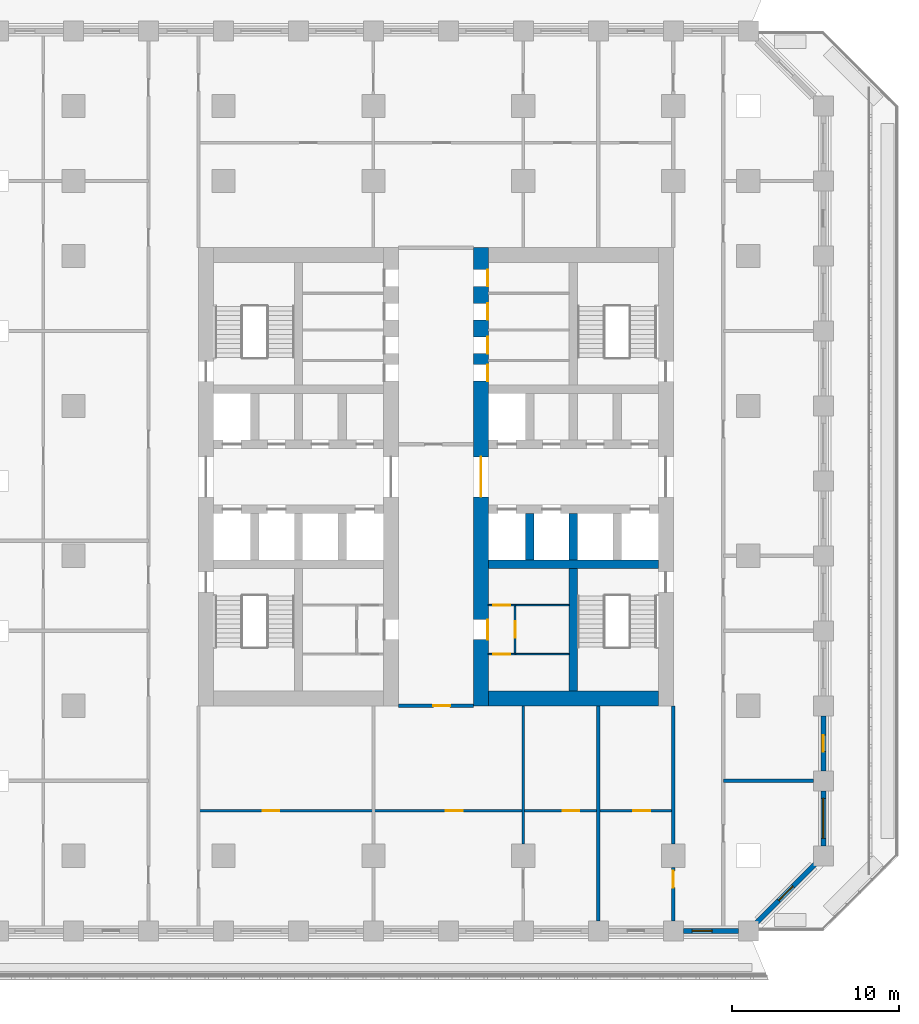
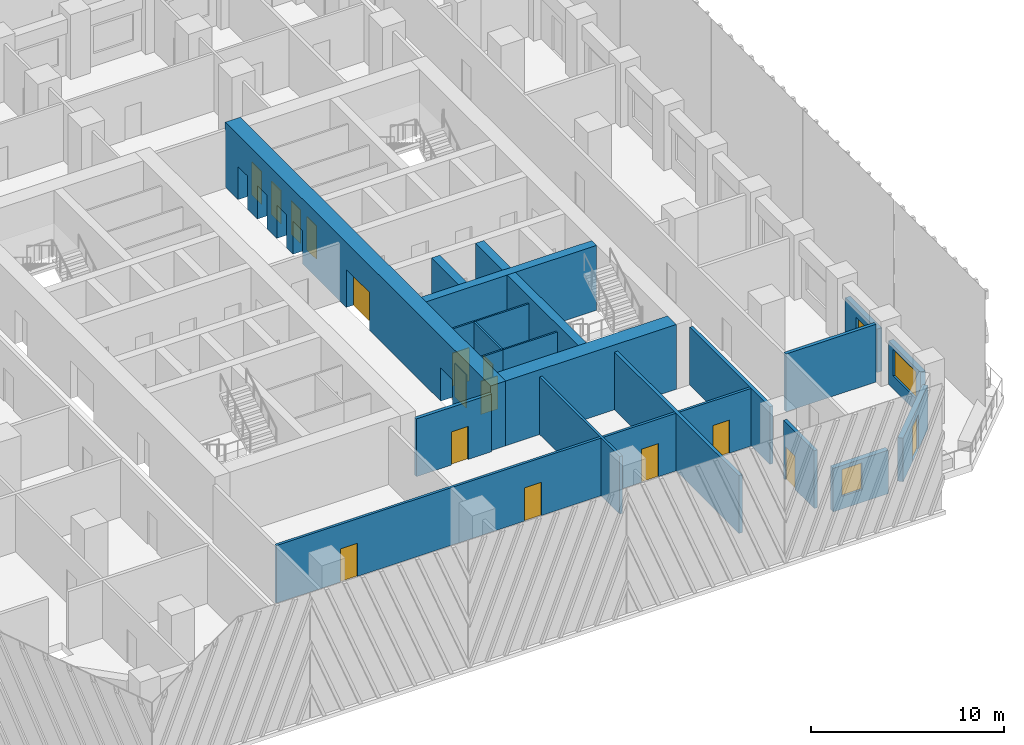
# One storey, part 5 of 19: 22 walls, 17 doors, 2 windows, 19 openings.
"""IFC4 building model written with IfcOpenShell, lengths in metres."""

from ifc_helpers import new_model, si_unit, direction, frame, frame_2d, origin, place, context, subcontext, project, spatial, rectangle, extrude, material, layer, layer_set, type_object, element, fill, save


model = new_model("IFC4")

# Units and contexts
model_context = context("Model", 3, precision=1e-05, world=origin(), true_north=direction((0.0, 1.0)))
body_context = subcontext(model_context, "Body", "Model", "MODEL_VIEW")
ifc_project = project(units=[si_unit("LENGTHUNIT", "METRE"), si_unit("AREAUNIT", "SQUARE_METRE"), si_unit("VOLUMEUNIT", "CUBIC_METRE"), si_unit("PLANEANGLEUNIT", "RADIAN"), si_unit("MASSUNIT", "GRAM", prefix="KILO")], contexts=[model_context])

# Site, building, storey
site_placement = place(None, origin())
site = spatial("IfcSite", under=ifc_project, at=site_placement, CompositionType="ELEMENT")
building_placement = place(site_placement, origin())
building = spatial("IfcBuilding", under=site, at=building_placement, Name="Corbel Stack Research Tower", CompositionType="ELEMENT")
storey_placement = place(building_placement, frame((0.0, 0.0, 116.699951171875)))
storey = spatial("IfcBuildingStorey", under=building, at=storey_placement, Name="L26", CompositionType="ELEMENT", Elevation=116.699951171875)

# Walls
ifc_material_1 = material(Name="Concrete C70/85", Category="concrete")
ifc_layer_1 = layer(ifc_material_1, 0.5)
ifc_layer_set_1 = layer_set([ifc_layer_1], Name="Concrete C70/85")
wall_type_1 = type_object("IfcWallType", Name="CW-500-70", PredefinedType="SHEAR", material=ifc_layer_set_1)
wall_1_placement = place(storey_placement, frame((6.89990234375, -0.5, 0.0), z_axis=(0.0, 0.0, 1.0), x_axis=(1.0, 0.0, 0.0)))
element("IfcWall", 1, at=wall_1_placement, inside=storey, type_object=wall_type_1, Name="East core wall, south row back L26", PredefinedType="SHEAR", context=body_context, shape_type="SweptSolid", body=[
    extrude(rectangle(XDim=10.2001953125, YDim=0.5, at=frame_2d((5.10009765625, 0.0))), origin(), (0.0, 0.0, 1.0), 4.10009765625),
])
for number, where, z_axis, x_axis, name in (
    (2, (9.375, -0.25, 0.0), (0.0, 0.0, 1.0), (0.0, 1.0, 0.0), "East core wall, south shaft 1 L26"),
    (3, (12.0, -0.25, 0.0), (0.0, 0.0, 1.0), (0.0, 1.0, 0.0), "East core wall, south shaft 2 L26"),
):
    element("IfcWall", number, at=place(storey_placement, frame(where, z_axis=z_axis, x_axis=x_axis)), inside=storey, type_object=wall_type_1, Name=name, PredefinedType="SHEAR", context=body_context, shape_type="SweptSolid", body=[
        extrude(rectangle(XDim=2.800048828125, YDim=0.5, at=frame_2d((1.39990234375, 0.0))), origin(), (0.0, 0.0, 1.0), 4.10009765625),
    ])
wall_2_placement = place(storey_placement, frame((12.0, -8.10009765625, 0.0), z_axis=(0.0, 0.0, 1.0), x_axis=(0.0, 1.0, 0.0)))
element("IfcWall", 4, at=wall_2_placement, inside=storey, type_object=wall_type_1, Name="East core wall, south stair and WC L26", PredefinedType="SHEAR", context=body_context, shape_type="SweptSolid", body=[
    extrude(rectangle(XDim=7.35009765625, YDim=0.5, at=frame_2d((3.675048828125, 0.0))), origin(), (0.0, 0.0, 1.0), 4.10009765625),
])

# Wall, openings, doors
ifc_material_2 = material(Name="Concrete C70/85", Category="concrete")
ifc_layer_2 = layer(ifc_material_2, 0.89990234375)
ifc_layer_set_2 = layer_set([ifc_layer_2], Name="Concrete C70/85")
wall_type_2 = type_object("IfcWallType", Name="CW-900-70", PredefinedType="SHEAR", material=ifc_layer_set_2)
wall_3_placement = place(storey_placement, frame((6.449951171875, -9.0, 0.0), z_axis=(0.0, 0.0, 1.0), x_axis=(0.0, 1.0, 0.0)))
wall_3 = element("IfcWall", 5, at=wall_3_placement, inside=storey, type_object=wall_type_2, Name="East core wall, west face L26", PredefinedType="SHEAR", context=body_context, shape_type="SweptSolid", body=[
    extrude(rectangle(XDim=27.5, YDim=0.89990234375, at=frame_2d((13.75, 0.0))), origin(), (0.0, 0.0, 1.0), 4.10009765625),
])
opening_1_placement = place(wall_3_placement, frame((12.550048828125, 0.0, 0.0)))
opening_1 = element("IfcOpeningElement", 6, at=opening_1_placement, cuts=wall_3, Name="Opening CD-E-W", PredefinedType="OPENING", context=body_context, shape_type="SweptSolid", body=[
    extrude(rectangle(XDim=2.39990234375, YDim=2.39990234375, at=frame_2d((1.199951171875, 1.199951171875))), frame((0.0, 0.4599609375, 0.0), z_axis=(0.0, -1.0, 0.0), x_axis=(1.0, 0.0, 0.0)), (0.0, 0.0, 1.0), 0.919921875),
])
opening_2_placement = place(wall_3_placement, frame((3.97509765625, 0.0, 0.0)))
opening_2 = element("IfcOpeningElement", 7, at=opening_2_placement, cuts=wall_3, Name="Opening CR-E36-W1-1200", PredefinedType="OPENING", context=body_context, shape_type="SweptSolid", body=[
    extrude(rectangle(XDim=1.199951171875, YDim=2.10009765625, at=frame_2d((0.60009765625, 1.050048828125))), frame((0.0, 0.4599609375, 0.0), z_axis=(0.0, -1.0, 0.0), x_axis=(1.0, 0.0, 0.0)), (0.0, 0.0, 1.0), 0.919921875),
])
opening_3_placement = place(wall_3_placement, frame((19.485107421875, 0.0, 0.0)))
opening_3 = element("IfcOpeningElement", 8, at=opening_3_placement, cuts=wall_3, Name="Opening CR-E36-R1-1000", PredefinedType="OPENING", context=body_context, shape_type="SweptSolid", body=[
    extrude(rectangle(XDim=1.0, YDim=2.10009765625, at=frame_2d((0.5, 1.050048828125))), frame((0.0, 0.4599609375, 0.0), z_axis=(0.0, -1.0, 0.0), x_axis=(1.0, 0.0, 0.0)), (0.0, 0.0, 1.0), 0.919921875),
])
opening_4_placement = place(wall_3_placement, frame((21.138916015625, 0.0, 0.0)))
opening_4 = element("IfcOpeningElement", 9, at=opening_4_placement, cuts=wall_3, Name="Opening CR-E36-R2-1000", PredefinedType="OPENING", context=body_context, shape_type="SweptSolid", body=[
    extrude(rectangle(XDim=1.0, YDim=2.10009765625, at=frame_2d((0.5, 1.050048828125))), frame((0.0, 0.4599609375, 0.0), z_axis=(0.0, -1.0, 0.0), x_axis=(1.0, 0.0, 0.0)), (0.0, 0.0, 1.0), 0.919921875),
])
opening_5_placement = place(wall_3_placement, frame((23.159912109375, 0.0, 0.0)))
opening_5 = element("IfcOpeningElement", 10, at=opening_5_placement, cuts=wall_3, Name="Opening CR-E36-R3-1000", PredefinedType="OPENING", context=body_context, shape_type="SweptSolid", body=[
    extrude(rectangle(XDim=1.0, YDim=2.10009765625, at=frame_2d((0.5, 1.050048828125))), frame((0.0, 0.4599609375, 0.0), z_axis=(0.0, -1.0, 0.0), x_axis=(1.0, 0.0, 0.0)), (0.0, 0.0, 1.0), 0.919921875),
])
opening_6_placement = place(wall_3_placement, frame((25.18115234375, 0.0, 0.0)))
opening_6 = element("IfcOpeningElement", 11, at=opening_6_placement, cuts=wall_3, Name="Opening CR-E36-R4-1000", PredefinedType="OPENING", context=body_context, shape_type="SweptSolid", body=[
    extrude(rectangle(XDim=1.0, YDim=2.10009765625, at=frame_2d((0.5, 1.050048828125))), frame((0.0, 0.4599609375, 0.0), z_axis=(0.0, -1.0, 0.0), x_axis=(1.0, 0.0, 0.0)), (0.0, 0.0, 1.0), 0.919921875),
])
ifc_material_3 = material(Name="Painted steel fire door", Category="steel")
door_type_1 = type_object("IfcDoorType", Name="Lobby door pair 2400 x 2400 FD30S", OperationType="DOUBLE_DOOR_DOUBLE_SWING", PredefinedType="DOOR", material=ifc_material_3)
door_1_placement = place(opening_1_placement, origin())
door_1 = element("IfcDoor", 12, at=door_1_placement, inside=storey, type_object=door_type_1, Name="Lift lobby door E core W", OperationType="DOUBLE_DOOR_DOUBLE_SWING", OverallHeight=2.39990234375, OverallWidth=2.39990234375, PredefinedType="DOOR", context=body_context, shape_type="SweptSolid", body=[
    extrude(rectangle(XDim=2.39990234375, YDim=2.39990234375, at=frame_2d((1.199951171875, 1.199951171875))), frame((0.0, 0.02490234375, 0.0), z_axis=(0.0, -1.0, 0.0), x_axis=(1.0, 0.0, 0.0)), (0.0, 0.0, 1.0), 0.050048828125),
])
fill(opening_1, door_1)
ifc_material_4 = material(Name="Painted steel door", Category="steel")
door_type_2 = type_object("IfcDoorType", Name="Riser door 1000 x 2100 FD60 left hand", OperationType="SINGLE_SWING_LEFT", PredefinedType="DOOR", material=ifc_material_4)
door_2_placement = place(opening_4_placement, origin())
door_2 = element("IfcDoor", 13, at=door_2_placement, inside=storey, type_object=door_type_2, Name="Telecom room door E core", OperationType="SINGLE_SWING_LEFT", OverallHeight=2.10009765625, OverallWidth=1.0, PredefinedType="DOOR", context=body_context, shape_type="SweptSolid", body=[
    extrude(rectangle(XDim=1.0, YDim=2.10009765625, at=frame_2d((0.5, 1.050048828125))), frame((0.0, -0.375, 0.0), z_axis=(0.0, -1.0, 0.0), x_axis=(1.0, 0.0, 0.0)), (0.0, 0.0, 1.0), 0.050048828125),
])
fill(opening_4, door_2)
ifc_material_5 = material(Name="Painted steel door", Category="steel")
door_type_3 = type_object("IfcDoorType", Name="Riser door 1000 x 2100 FD60 right hand", OperationType="SINGLE_SWING_RIGHT", PredefinedType="DOOR", material=ifc_material_5)
door_3_placement = place(opening_3_placement, origin())
door_3 = element("IfcDoor", 14, at=door_3_placement, inside=storey, type_object=door_type_3, Name="Electrical riser door E core", OperationType="SINGLE_SWING_RIGHT", OverallHeight=2.10009765625, OverallWidth=1.0, PredefinedType="DOOR", context=body_context, shape_type="SweptSolid", body=[
    extrude(rectangle(XDim=1.0, YDim=2.10009765625, at=frame_2d((0.5, 1.050048828125))), frame((0.0, -0.375, 0.0), z_axis=(0.0, -1.0, 0.0), x_axis=(1.0, 0.0, 0.0)), (0.0, 0.0, 1.0), 0.050048828125),
])
fill(opening_3, door_3)
ifc_material_6 = material(Name="Painted steel door", Category="steel")
door_type_4 = type_object("IfcDoorType", Name="Service door 1000 x 2100 FD30 left hand", OperationType="SINGLE_SWING_LEFT", PredefinedType="DOOR", material=ifc_material_6)
door_4_placement = place(opening_6_placement, origin())
door_4 = element("IfcDoor", 15, at=door_4_placement, inside=storey, type_object=door_type_4, Name="Cleaner's store door E core", OperationType="SINGLE_SWING_LEFT", OverallHeight=2.10009765625, OverallWidth=1.0, PredefinedType="DOOR", context=body_context, shape_type="SweptSolid", body=[
    extrude(rectangle(XDim=1.0, YDim=2.10009765625, at=frame_2d((0.5, 1.050048828125))), frame((0.0, -0.375, 0.0), z_axis=(0.0, -1.0, 0.0), x_axis=(1.0, 0.0, 0.0)), (0.0, 0.0, 1.0), 0.050048828125),
])
fill(opening_6, door_4)
ifc_material_7 = material(Name="Painted steel door", Category="steel")
door_type_5 = type_object("IfcDoorType", Name="Service door 1000 x 2100 FD30 right hand", OperationType="SINGLE_SWING_RIGHT", PredefinedType="DOOR", material=ifc_material_7)
door_5_placement = place(opening_5_placement, origin())
door_5 = element("IfcDoor", 16, at=door_5_placement, inside=storey, type_object=door_type_5, Name="Pantry door E core", OperationType="SINGLE_SWING_RIGHT", OverallHeight=2.10009765625, OverallWidth=1.0, PredefinedType="DOOR", context=body_context, shape_type="SweptSolid", body=[
    extrude(rectangle(XDim=1.0, YDim=2.10009765625, at=frame_2d((0.5, 1.050048828125))), frame((0.0, -0.375, 0.0), z_axis=(0.0, -1.0, 0.0), x_axis=(1.0, 0.0, 0.0)), (0.0, 0.0, 1.0), 0.050048828125),
])
fill(opening_5, door_5)
ifc_material_8 = material(Name="Painted timber door", Category="wood")
door_type_6 = type_object("IfcDoorType", Name="WC door 1200 x 2100 right hand", OperationType="SINGLE_SWING_RIGHT", PredefinedType="DOOR", material=ifc_material_8)
door_6_placement = place(opening_2_placement, origin())
door_6 = element("IfcDoor", 17, at=door_6_placement, inside=storey, type_object=door_type_6, Name="WC lobby door E core", OperationType="SINGLE_SWING_RIGHT", OverallHeight=2.10009765625, OverallWidth=1.199951171875, PredefinedType="DOOR", context=body_context, shape_type="SweptSolid", body=[
    extrude(rectangle(XDim=1.199951171875, YDim=2.10009765625, at=frame_2d((0.60009765625, 1.050048828125))), frame((0.0, -0.375, 0.0), z_axis=(0.0, -1.0, 0.0), x_axis=(1.0, 0.0, 0.0)), (0.0, 0.0, 1.0), 0.050048828125),
])
fill(opening_2, door_6)

# Wall
wall_4_placement = place(storey_placement, frame((6.89990234375, -8.550048828125, 0.0), z_axis=(0.0, 0.0, 1.0), x_axis=(1.0, 0.0, 0.0)))
element("IfcWall", 18, at=wall_4_placement, inside=storey, type_object=wall_type_2, Name="East core wall, south end L26", PredefinedType="SHEAR", context=body_context, shape_type="SweptSolid", body=[
    extrude(rectangle(XDim=10.2001953125, YDim=0.89990234375, at=frame_2d((5.10009765625, 0.0))), origin(), (0.0, 0.0, 1.0), 4.10009765625),
])

# Wall, opening, door
ifc_material_9 = material(Name="Gypsum board")
ifc_layer_3 = layer(ifc_material_9, 0.10009765625)
ifc_layer_set_3 = layer_set([ifc_layer_3], Name="Gypsum board")
wall_type_3 = type_object("IfcWallType", Name="Core partition 100", PredefinedType="PARTITIONING", material=ifc_layer_set_3)
wall_5_placement = place(storey_placement, frame((6.89990234375, -5.89501953125, 0.0), z_axis=(0.0, 0.0, 1.0), x_axis=(1.0, 0.0, 0.0)))
wall_5 = element("IfcWall", 19, at=wall_5_placement, inside=storey, type_object=wall_type_3, Name="Core partition E", PredefinedType="PARTITIONING", context=body_context, shape_type="SweptSolid", body=[
    extrude(rectangle(XDim=1.60009765625, YDim=0.10009765625, at=frame_2d((0.800048828125, 0.0))), origin(), (0.0, 0.0, 1.0), 3.650146484375),
])
opening_7_placement = place(wall_5_placement, frame((0.300048828125, 0.0, 0.0)))
opening_7 = element("IfcOpeningElement", 20, at=opening_7_placement, cuts=wall_5, Name="Opening CR-E36-W2-1000", PredefinedType="OPENING", context=body_context, shape_type="SweptSolid", body=[
    extrude(rectangle(XDim=1.0, YDim=2.10009765625, at=frame_2d((0.5, 1.050048828125))), frame((0.0, 0.06005859375, 0.0), z_axis=(0.0, -1.0, 0.0), x_axis=(1.0, 0.0, 0.0)), (0.0, 0.0, 1.0), 0.1201171875),
])
ifc_material_10 = material(Name="Painted timber door", Category="wood")
door_type_7 = type_object("IfcDoorType", Name="WC door 1000 x 2100 left hand", OperationType="SINGLE_SWING_LEFT", PredefinedType="DOOR", material=ifc_material_10)
door_7_placement = place(opening_7_placement, origin())
door_7 = element("IfcDoor", 21, at=door_7_placement, inside=storey, type_object=door_type_7, Name="Men's WC door E core", OperationType="SINGLE_SWING_LEFT", OverallHeight=2.10009765625, OverallWidth=1.0, PredefinedType="DOOR", context=body_context, shape_type="SweptSolid", body=[
    extrude(rectangle(XDim=1.0, YDim=2.10009765625, at=frame_2d((0.5, 1.050048828125))), frame((0.0, 0.02490234375, 0.0), z_axis=(0.0, -1.0, 0.0), x_axis=(1.0, 0.0, 0.0)), (0.0, 0.0, 1.0), 0.050048828125),
])
fill(opening_7, door_7)

wall_6_placement = place(storey_placement, frame((6.89990234375, -2.955078125, 0.0), z_axis=(0.0, 0.0, 1.0), x_axis=(1.0, 0.0, 0.0)))
wall_6 = element("IfcWall", 22, at=wall_6_placement, inside=storey, type_object=wall_type_3, Name="Core partition E", PredefinedType="PARTITIONING", context=body_context, shape_type="SweptSolid", body=[
    extrude(rectangle(XDim=1.60009765625, YDim=0.10009765625, at=frame_2d((0.800048828125, 0.0))), origin(), (0.0, 0.0, 1.0), 3.650146484375),
])
opening_8_placement = place(wall_6_placement, frame((0.300048828125, 0.0, 0.0)))
opening_8 = element("IfcOpeningElement", 23, at=opening_8_placement, cuts=wall_6, Name="Opening CR-E36-W3-1000", PredefinedType="OPENING", context=body_context, shape_type="SweptSolid", body=[
    extrude(rectangle(XDim=1.0, YDim=2.10009765625, at=frame_2d((0.5, 1.050048828125))), frame((0.0, 0.06005859375, 0.0), z_axis=(0.0, -1.0, 0.0), x_axis=(1.0, 0.0, 0.0)), (0.0, 0.0, 1.0), 0.1201171875),
])
ifc_material_11 = material(Name="Painted timber door", Category="wood")
door_type_8 = type_object("IfcDoorType", Name="WC door 1000 x 2100 right hand", OperationType="SINGLE_SWING_RIGHT", PredefinedType="DOOR", material=ifc_material_11)
door_8_placement = place(opening_8_placement, origin())
door_8 = element("IfcDoor", 24, at=door_8_placement, inside=storey, type_object=door_type_8, Name="Women's WC door E core", OperationType="SINGLE_SWING_RIGHT", OverallHeight=2.10009765625, OverallWidth=1.0, PredefinedType="DOOR", context=body_context, shape_type="SweptSolid", body=[
    extrude(rectangle(XDim=1.0, YDim=2.10009765625, at=frame_2d((0.5, 1.050048828125))), frame((0.0, 0.02490234375, 0.0), z_axis=(0.0, -1.0, 0.0), x_axis=(1.0, 0.0, 0.0)), (0.0, 0.0, 1.0), 0.050048828125),
])
fill(opening_8, door_8)

wall_7_placement = place(storey_placement, frame((8.5, -5.89501953125, 0.0), z_axis=(0.0, 0.0, 1.0), x_axis=(0.0, 1.0, 0.0)))
wall_7 = element("IfcWall", 25, at=wall_7_placement, inside=storey, type_object=wall_type_3, Name="Core partition E", PredefinedType="PARTITIONING", context=body_context, shape_type="SweptSolid", body=[
    extrude(rectangle(XDim=2.93994140625, YDim=0.10009765625, at=frame_2d((1.469970703125, 0.0))), origin(), (0.0, 0.0, 1.0), 3.650146484375),
])
opening_9_placement = place(wall_7_placement, frame((0.969970703125, 0.0, 0.0)))
opening_9 = element("IfcOpeningElement", 26, at=opening_9_placement, cuts=wall_7, Name="Opening CR-E36-W4-1000", PredefinedType="OPENING", context=body_context, shape_type="SweptSolid", body=[
    extrude(rectangle(XDim=1.0, YDim=2.10009765625, at=frame_2d((0.5, 1.050048828125))), frame((0.0, 0.06005859375, 0.0), z_axis=(0.0, -1.0, 0.0), x_axis=(1.0, 0.0, 0.0)), (0.0, 0.0, 1.0), 0.1201171875),
])
door_9_placement = place(opening_9_placement, origin())
door_9 = element("IfcDoor", 27, at=door_9_placement, inside=storey, type_object=door_type_7, Name="Accessible WC door E core", OperationType="SINGLE_SWING_LEFT", OverallHeight=2.10009765625, OverallWidth=1.0, PredefinedType="DOOR", context=body_context, shape_type="SweptSolid", body=[
    extrude(rectangle(XDim=1.0, YDim=2.10009765625, at=frame_2d((0.5, 1.050048828125))), frame((0.0, 0.02490234375, 0.0), z_axis=(0.0, -1.0, 0.0), x_axis=(1.0, 0.0, 0.0)), (0.0, 0.0, 1.0), 0.050048828125),
])
fill(opening_9, door_9)

# Walls
for number, where, z_axis, x_axis, name in (
    (28, (8.5, -5.89501953125, 0.0), (0.0, 0.0, 1.0), (1.0, 0.0, 0.0), "Core partition E"),
    (29, (8.5, -2.955078125, 0.0), (0.0, 0.0, 1.0), (1.0, 0.0, 0.0), "Core partition E"),
):
    element("IfcWall", number, at=place(storey_placement, frame(where, z_axis=z_axis, x_axis=x_axis)), inside=storey, type_object=wall_type_3, Name=name, PredefinedType="PARTITIONING", context=body_context, shape_type="SweptSolid", body=[
        extrude(rectangle(XDim=3.25, YDim=0.10009765625, at=frame_2d((1.625, 0.0))), origin(), (0.0, 0.0, 1.0), 3.650146484375),
    ])
ifc_material_12 = material(Name="Fire-rated gypsum board partition on steel studs", Category="steel")
ifc_layer_4 = layer(ifc_material_12, 0.199951171875)
ifc_layer_set_4 = layer_set([ifc_layer_4], Name="Fire-rated gypsum board partition on steel studs")
wall_type_4 = type_object("IfcWallType", Name="Fire-rated partition 200 EI 60", PredefinedType="PARTITIONING", material=ifc_layer_set_4)
wall_8_placement = place(storey_placement, frame((13.5, -21.89990234375, 0.0), z_axis=(0.0, 0.0, 1.0), x_axis=(0.0, 1.0, 0.0)))
element("IfcWall", 30, at=wall_8_placement, inside=storey, type_object=wall_type_4, Name="Partition L26-015", PredefinedType="PARTITIONING", context=body_context, shape_type="SweptSolid", body=[
    extrude(rectangle(XDim=12.89990234375, YDim=0.199951171875, at=frame_2d((6.449951171875, 0.0))), origin(), (0.0, 0.0, 1.0), 3.650146484375),
])

# Wall, opening, door
wall_9_placement = place(storey_placement, frame((18.0, -21.89990234375, 0.0), z_axis=(0.0, 0.0, 1.0), x_axis=(0.0, 1.0, 0.0)))
wall_9 = element("IfcWall", 31, at=wall_9_placement, inside=storey, type_object=wall_type_4, Name="Partition L26-017", PredefinedType="PARTITIONING", context=body_context, shape_type="SweptSolid", body=[
    extrude(rectangle(XDim=3.199951171875, YDim=0.199951171875, at=frame_2d((1.60009765625, 0.0))), origin(), (0.0, 0.0, 1.0), 3.650146484375),
])
opening_10_placement = place(wall_9_placement, frame((2.0, 0.0, 0.0)))
opening_10 = element("IfcOpeningElement", 32, at=opening_10_placement, cuts=wall_9, Name="Opening B4V0H-024", PredefinedType="OPENING", context=body_context, shape_type="SweptSolid", body=[
    extrude(rectangle(XDim=1.0, YDim=2.10009765625, at=frame_2d((0.5, 1.050048828125))), frame((0.0, 0.10986328125, 0.0), z_axis=(0.0, -1.0, 0.0), x_axis=(1.0, 0.0, 0.0)), (0.0, 0.0, 1.0), 0.219970703125),
])
ifc_material_13 = material(Name="Painted steel fire door", Category="steel")
door_type_9 = type_object("IfcDoorType", Name="Fire door FD30S 1000 x 2100", OperationType="NOTDEFINED", PredefinedType="DOOR", material=ifc_material_13)
door_10_placement = place(opening_10_placement, origin())
door_10 = element("IfcDoor", 33, at=door_10_placement, inside=storey, type_object=door_type_9, Name="Door B4V0H-024", OperationType="SINGLE_SWING_RIGHT", OverallHeight=2.10009765625, OverallWidth=1.0, PredefinedType="DOOR", context=body_context, shape_type="SweptSolid", body=[
    extrude(rectangle(XDim=1.0, YDim=2.10009765625, at=frame_2d((0.5, 1.050048828125))), frame((0.0, 0.02490234375, 0.0), z_axis=(0.0, -1.0, 0.0), x_axis=(1.0, 0.0, 0.0)), (0.0, 0.0, 1.0), 0.050048828125),
])
fill(opening_10, door_10)

# Walls
wall_10_placement = place(storey_placement, frame((18.0, -17.300048828125, 0.0), z_axis=(0.0, 0.0, 1.0), x_axis=(0.0, 1.0, 0.0)))
element("IfcWall", 34, at=wall_10_placement, inside=storey, type_object=wall_type_4, Name="Partition L26-018", PredefinedType="PARTITIONING", context=body_context, shape_type="SweptSolid", body=[
    extrude(rectangle(XDim=8.300048828125, YDim=0.199951171875, at=frame_2d((4.14990234375, 0.0))), origin(), (0.0, 0.0, 1.0), 3.650146484375),
])
wall_11_placement = place(storey_placement, frame((21.0, -13.5, 0.0), z_axis=(0.0, 0.0, 1.0), x_axis=(1.0, 0.0, 0.0)))
element("IfcWall", 35, at=wall_11_placement, inside=storey, type_object=wall_type_4, Name="Partition L26-026", PredefinedType="PARTITIONING", context=body_context, shape_type="SweptSolid", body=[
    extrude(rectangle(XDim=5.39990234375, YDim=0.199951171875, at=frame_2d((2.699951171875, 0.0))), origin(), (0.0, 0.0, 1.0), 3.650146484375),
])

# Wall, opening, door
wall_12_placement = place(storey_placement, frame((6.0, -9.0, 0.0), z_axis=(0.0, 0.0, 1.0), x_axis=(-1.0, 0.0, 0.0)))
wall_12 = element("IfcWall", 36, at=wall_12_placement, inside=storey, type_object=wall_type_4, Name="Partition L26-027", PredefinedType="PARTITIONING", context=body_context, shape_type="SweptSolid", body=[
    extrude(rectangle(XDim=4.5, YDim=0.199951171875, at=frame_2d((2.25, 0.0))), origin(), (0.0, 0.0, 1.0), 3.650146484375),
])
opening_11_placement = place(wall_12_placement, frame((1.39990234375, 0.0, 0.0)))
opening_11 = element("IfcOpeningElement", 37, at=opening_11_placement, cuts=wall_12, Name="Opening B4V0H-019", PredefinedType="OPENING", context=body_context, shape_type="SweptSolid", body=[
    extrude(rectangle(XDim=1.0, YDim=2.10009765625, at=frame_2d((0.5, 1.050048828125))), frame((0.0, 0.10986328125, 0.0), z_axis=(0.0, -1.0, 0.0), x_axis=(1.0, 0.0, 0.0)), (0.0, 0.0, 1.0), 0.219970703125),
])
door_11_placement = place(opening_11_placement, origin())
door_11 = element("IfcDoor", 38, at=door_11_placement, inside=storey, type_object=door_type_9, Name="Door B4V0H-019", OperationType="SINGLE_SWING_LEFT", OverallHeight=2.10009765625, OverallWidth=1.0, PredefinedType="DOOR", context=body_context, shape_type="SweptSolid", body=[
    extrude(rectangle(XDim=1.0, YDim=2.10009765625, at=frame_2d((0.5, 1.050048828125))), frame((0.0, 0.02490234375, 0.0), z_axis=(0.0, -1.0, 0.0), x_axis=(1.0, 0.0, 0.0)), (0.0, 0.0, 1.0), 0.050048828125),
])
fill(opening_11, door_11)

# Wall
ifc_material_14 = material(Name="Gypsum board partition on steel studs", Category="steel")
ifc_layer_5 = layer(ifc_material_14, 0.14990234375)
ifc_layer_set_5 = layer_set([ifc_layer_5], Name="Gypsum board partition on steel studs")
wall_type_5 = type_object("IfcWallType", Name="Partition 150", PredefinedType="PARTITIONING", material=ifc_layer_set_5)
wall_13_placement = place(storey_placement, frame((9.0, -17.300048828125, 0.0), z_axis=(0.0, 0.0, 1.0), x_axis=(0.0, 1.0, 0.0)))
element("IfcWall", 39, at=wall_13_placement, inside=storey, type_object=wall_type_5, Name="Partition L26-011", PredefinedType="PARTITIONING", context=body_context, shape_type="SweptSolid", body=[
    extrude(rectangle(XDim=8.300048828125, YDim=0.14990234375, at=frame_2d((4.14990234375, 0.0))), origin(), (0.0, 0.0, 1.0), 3.650146484375),
])

# Wall, openings, doors
wall_14_placement = place(storey_placement, frame((-10.5, -15.300048828125, 0.0), z_axis=(0.0, 0.0, 1.0), x_axis=(1.0, 0.0, 0.0)))
wall_14 = element("IfcWall", 40, at=wall_14_placement, inside=storey, type_object=wall_type_5, Name="Partition L26-023", PredefinedType="PARTITIONING", context=body_context, shape_type="SweptSolid", body=[
    extrude(rectangle(XDim=28.5, YDim=0.14990234375, at=frame_2d((14.25, 0.0))), origin(), (0.0, 0.0, 1.0), 3.650146484375),
])
opening_12_placement = place(wall_14_placement, frame((3.85009765625, 0.0, 0.0)))
opening_12 = element("IfcOpeningElement", 41, at=opening_12_placement, cuts=wall_14, Name="Opening B4V0H-007", PredefinedType="OPENING", context=body_context, shape_type="SweptSolid", body=[
    extrude(rectangle(XDim=1.0, YDim=2.10009765625, at=frame_2d((0.5, 1.050048828125))), frame((0.0, 0.0849609375, 0.0), z_axis=(0.0, -1.0, 0.0), x_axis=(1.0, 0.0, 0.0)), (0.0, 0.0, 1.0), 0.169921875),
])
opening_13_placement = place(wall_14_placement, frame((14.85009765625, 0.0, 0.0)))
opening_13 = element("IfcOpeningElement", 42, at=opening_13_placement, cuts=wall_14, Name="Opening B4V0H-008", PredefinedType="OPENING", context=body_context, shape_type="SweptSolid", body=[
    extrude(rectangle(XDim=1.0, YDim=2.10009765625, at=frame_2d((0.5, 1.050048828125))), frame((0.0, 0.0849609375, 0.0), z_axis=(0.0, -1.0, 0.0), x_axis=(1.0, 0.0, 0.0)), (0.0, 0.0, 1.0), 0.169921875),
])
opening_14_placement = place(wall_14_placement, frame((21.85009765625, 0.0, 0.0)))
opening_14 = element("IfcOpeningElement", 43, at=opening_14_placement, cuts=wall_14, Name="Opening B4V0H-009", PredefinedType="OPENING", context=body_context, shape_type="SweptSolid", body=[
    extrude(rectangle(XDim=1.0, YDim=2.10009765625, at=frame_2d((0.5, 1.050048828125))), frame((0.0, 0.0849609375, 0.0), z_axis=(0.0, -1.0, 0.0), x_axis=(1.0, 0.0, 0.0)), (0.0, 0.0, 1.0), 0.169921875),
])
opening_15_placement = place(wall_14_placement, frame((26.10009765625, 0.0, 0.0)))
opening_15 = element("IfcOpeningElement", 44, at=opening_15_placement, cuts=wall_14, Name="Opening B4V0H-010", PredefinedType="OPENING", context=body_context, shape_type="SweptSolid", body=[
    extrude(rectangle(XDim=1.0, YDim=2.10009765625, at=frame_2d((0.5, 1.050048828125))), frame((0.0, 0.0849609375, 0.0), z_axis=(0.0, -1.0, 0.0), x_axis=(1.0, 0.0, 0.0)), (0.0, 0.0, 1.0), 0.169921875),
])
ifc_material_15 = material(Name="Painted timber door", Category="wood")
door_type_10 = type_object("IfcDoorType", Name="Single door 1000 x 2100", OperationType="NOTDEFINED", PredefinedType="DOOR", material=ifc_material_15)
door_12_placement = place(opening_12_placement, origin())
door_12 = element("IfcDoor", 45, at=door_12_placement, inside=storey, type_object=door_type_10, Name="Door B4V0H-007", OperationType="SINGLE_SWING_LEFT", OverallHeight=2.10009765625, OverallWidth=1.0, PredefinedType="DOOR", context=body_context, shape_type="SweptSolid", body=[
    extrude(rectangle(XDim=1.0, YDim=2.10009765625, at=frame_2d((0.5, 1.050048828125))), frame((0.0, 0.02490234375, 0.0), z_axis=(0.0, -1.0, 0.0), x_axis=(1.0, 0.0, 0.0)), (0.0, 0.0, 1.0), 0.050048828125),
])
fill(opening_12, door_12)
door_13_placement = place(opening_13_placement, origin())
door_13 = element("IfcDoor", 46, at=door_13_placement, inside=storey, type_object=door_type_10, Name="Door B4V0H-008", OperationType="SINGLE_SWING_RIGHT", OverallHeight=2.10009765625, OverallWidth=1.0, PredefinedType="DOOR", context=body_context, shape_type="SweptSolid", body=[
    extrude(rectangle(XDim=1.0, YDim=2.10009765625, at=frame_2d((0.5, 1.050048828125))), frame((0.0, 0.02490234375, 0.0), z_axis=(0.0, -1.0, 0.0), x_axis=(1.0, 0.0, 0.0)), (0.0, 0.0, 1.0), 0.050048828125),
])
fill(opening_13, door_13)
door_14_placement = place(opening_14_placement, origin())
door_14 = element("IfcDoor", 47, at=door_14_placement, inside=storey, type_object=door_type_10, Name="Door B4V0H-009", OperationType="SINGLE_SWING_RIGHT", OverallHeight=2.10009765625, OverallWidth=1.0, PredefinedType="DOOR", context=body_context, shape_type="SweptSolid", body=[
    extrude(rectangle(XDim=1.0, YDim=2.10009765625, at=frame_2d((0.5, 1.050048828125))), frame((0.0, 0.02490234375, 0.0), z_axis=(0.0, -1.0, 0.0), x_axis=(1.0, 0.0, 0.0)), (0.0, 0.0, 1.0), 0.050048828125),
])
fill(opening_14, door_14)
door_15_placement = place(opening_15_placement, origin())
door_15 = element("IfcDoor", 48, at=door_15_placement, inside=storey, type_object=door_type_10, Name="Door B4V0H-010", OperationType="SINGLE_SWING_RIGHT", OverallHeight=2.10009765625, OverallWidth=1.0, PredefinedType="DOOR", context=body_context, shape_type="SweptSolid", body=[
    extrude(rectangle(XDim=1.0, YDim=2.10009765625, at=frame_2d((0.5, 1.050048828125))), frame((0.0, 0.02490234375, 0.0), z_axis=(0.0, -1.0, 0.0), x_axis=(1.0, 0.0, 0.0)), (0.0, 0.0, 1.0), 0.050048828125),
])
fill(opening_15, door_15)

# Wall, opening, window
ifc_material_16 = material(Name="Concrete C45/55", Category="concrete")
ifc_layer_6 = layer(ifc_material_16, 0.300048828125)
ifc_layer_set_6 = layer_set([ifc_layer_6], Name="Concrete C45/55")
wall_type_6 = type_object("IfcWallType", Name="Terracotta-faced concrete wall 300", PredefinedType="SOLIDWALL", material=ifc_layer_set_6)
wall_15_placement = place(storey_placement, frame((21.89990234375, -22.5, 0.0), z_axis=(0.0, 0.0, 1.0), x_axis=(-1.0, 0.0, 0.0)))
wall_15 = element("IfcWall", 49, at=wall_15_placement, inside=storey, type_object=wall_type_6, Name="Facade wall L26 S10", PredefinedType="SOLIDWALL", context=body_context, shape_type="SweptSolid", body=[
    extrude(rectangle(XDim=3.2998046875, YDim=0.300048828125, at=frame_2d((1.64990234375, 0.0))), origin(), (0.0, 0.0, 1.0), 2.75),
])
opening_16_placement = place(wall_15_placement, frame((1.574951171875, 0.0, 0.800048828125)))
opening_16 = element("IfcOpeningElement", 50, at=opening_16_placement, cuts=wall_15, Name="Opening W2", PredefinedType="OPENING", context=body_context, shape_type="SweptSolid", body=[
    extrude(rectangle(XDim=1.199951171875, YDim=1.699951171875, at=frame_2d((0.60009765625, 0.85009765625))), frame((0.0, 0.159912109375, 0.0), z_axis=(0.0, -1.0, 0.0), x_axis=(1.0, 0.0, 0.0)), (0.0, 0.0, 1.0), 0.320068359375),
])
ifc_material_17 = material(Name="Aluminium frame, clear double glazing", Category="aluminium")
window_type_1 = type_object("IfcWindowType", Name="Window W2 1200 x 1700", PartitioningType="SINGLE_PANEL", PredefinedType="WINDOW", material=ifc_material_17)
window_1_placement = place(opening_16_placement, origin())
window_1 = element("IfcWindow", 51, at=window_1_placement, inside=storey, type_object=window_type_1, Name="Window W2 L26 S10", OverallHeight=1.699951171875, OverallWidth=1.199951171875, PartitioningType="SINGLE_PANEL", PredefinedType="WINDOW", context=body_context, shape_type="SweptSolid", body=[
    extrude(rectangle(XDim=1.199951171875, YDim=1.699951171875, at=frame_2d((0.60009765625, 0.85009765625))), frame((0.0, 0.030029296875, 0.0), z_axis=(0.0, -1.0, 0.0), x_axis=(1.0, 0.0, 0.0)), (0.0, 0.0, 1.0), 0.06005859375),
])
fill(opening_16, window_1)

# Wall, opening, door
wall_16_placement = place(storey_placement, frame((26.506103515625, -18.493896484375, 0.0), z_axis=(0.0, 0.0, 1.0), x_axis=(-0.707106781187, -0.707106781187, 0.0)))
wall_16 = element("IfcWall", 52, at=wall_16_placement, inside=storey, type_object=wall_type_6, Name="Facade wall L26 SE01", PredefinedType="SOLIDWALL", context=body_context, shape_type="SweptSolid", body=[
    extrude(rectangle(XDim=4.967041015625, YDim=0.300048828125, at=frame_2d((2.4833984375, 0.0))), origin(), (0.0, 0.0, 1.0), 2.75),
])
opening_17_placement = place(wall_16_placement, frame((1.883544921875, 0.0, 0.0)))
opening_17 = element("IfcOpeningElement", 53, at=opening_17_placement, cuts=wall_16, Name="Opening L26-B03", PredefinedType="OPENING", context=body_context, shape_type="SweptSolid", body=[
    extrude(rectangle(XDim=1.199951171875, YDim=2.199951171875, at=frame_2d((0.60009765625, 1.10009765625))), frame((0.0, 0.159912109375, 0.0), z_axis=(0.0, -1.0, 0.0), x_axis=(1.0, 0.0, 0.0)), (0.0, 0.0, 1.0), 0.320068359375),
])
ifc_material_18 = material(Name="Aluminium frame, clear double glazing", Category="aluminium")
door_type_11 = type_object("IfcDoorType", Name="Balcony door BD2 1200 x 2200", OperationType="NOTDEFINED", PredefinedType="DOOR", material=ifc_material_18)
door_16_placement = place(opening_17_placement, origin())
door_16 = element("IfcDoor", 54, at=door_16_placement, inside=storey, type_object=door_type_11, Name="Balcony door L26-B03", OperationType="SINGLE_SWING_LEFT", OverallHeight=2.199951171875, OverallWidth=1.199951171875, PredefinedType="DOOR", context=body_context, shape_type="SweptSolid", body=[
    extrude(rectangle(XDim=1.199951171875, YDim=2.199951171875, at=frame_2d((0.60009765625, 1.10009765625))), frame((0.0, 0.02490234375, 0.0), z_axis=(0.0, -1.0, 0.0), x_axis=(1.0, 0.0, 0.0)), (0.0, 0.0, 1.0), 0.050048828125),
])
fill(opening_17, door_16)

# Wall, opening, window
wall_17_placement = place(storey_placement, frame((27.0, -14.10009765625, 0.0), z_axis=(0.0, 0.0, 1.0), x_axis=(0.0, -1.0, 0.0)))
wall_17 = element("IfcWall", 55, at=wall_17_placement, inside=storey, type_object=wall_type_6, Name="Facade wall L26 E01", PredefinedType="SOLIDWALL", context=body_context, shape_type="SweptSolid", body=[
    extrude(rectangle(XDim=3.2998046875, YDim=0.300048828125, at=frame_2d((1.64990234375, 0.0))), origin(), (0.0, 0.0, 1.0), 2.75),
])
opening_18_placement = place(wall_17_placement, frame((0.449951171875, 0.0, 0.800048828125)))
opening_18 = element("IfcOpeningElement", 56, at=opening_18_placement, cuts=wall_17, Name="Opening W1", PredefinedType="OPENING", context=body_context, shape_type="SweptSolid", body=[
    extrude(rectangle(XDim=2.39990234375, YDim=1.699951171875, at=frame_2d((1.199951171875, 0.85009765625))), frame((0.0, 0.159912109375, 0.0), z_axis=(0.0, -1.0, 0.0), x_axis=(1.0, 0.0, 0.0)), (0.0, 0.0, 1.0), 0.320068359375),
])
ifc_material_19 = material(Name="Aluminium frame, clear double glazing", Category="aluminium")
window_type_2 = type_object("IfcWindowType", Name="Window W1 2400 x 1700", PartitioningType="SINGLE_PANEL", PredefinedType="WINDOW", material=ifc_material_19)
window_2_placement = place(opening_18_placement, origin())
window_2 = element("IfcWindow", 57, at=window_2_placement, inside=storey, type_object=window_type_2, Name="Window W1 L26 E01", OverallHeight=1.699951171875, OverallWidth=2.39990234375, PartitioningType="SINGLE_PANEL", PredefinedType="WINDOW", context=body_context, shape_type="SweptSolid", body=[
    extrude(rectangle(XDim=2.39990234375, YDim=1.699951171875, at=frame_2d((1.199951171875, 0.85009765625))), frame((0.0, 0.030029296875, 0.0), z_axis=(0.0, -1.0, 0.0), x_axis=(1.0, 0.0, 0.0)), (0.0, 0.0, 1.0), 0.06005859375),
])
fill(opening_18, window_2)

# Wall, opening, door
wall_18_placement = place(storey_placement, frame((27.0, -9.60009765625, 0.0), z_axis=(0.0, 0.0, 1.0), x_axis=(0.0, -1.0, 0.0)))
wall_18 = element("IfcWall", 58, at=wall_18_placement, inside=storey, type_object=wall_type_6, Name="Facade wall L26 E02", PredefinedType="SOLIDWALL", context=body_context, shape_type="SweptSolid", body=[
    extrude(rectangle(XDim=3.2998046875, YDim=0.300048828125, at=frame_2d((1.64990234375, 0.0))), origin(), (0.0, 0.0, 1.0), 2.75),
])
opening_19_placement = place(wall_18_placement, frame((1.14990234375, 0.0, 0.0)))
opening_19 = element("IfcOpeningElement", 59, at=opening_19_placement, cuts=wall_18, Name="Opening L26-B04", PredefinedType="OPENING", context=body_context, shape_type="SweptSolid", body=[
    extrude(rectangle(XDim=1.0, YDim=2.199951171875, at=frame_2d((0.5, 1.10009765625))), frame((0.0, 0.159912109375, 0.0), z_axis=(0.0, -1.0, 0.0), x_axis=(1.0, 0.0, 0.0)), (0.0, 0.0, 1.0), 0.320068359375),
])
ifc_material_20 = material(Name="Aluminium frame, clear double glazing", Category="aluminium")
door_type_12 = type_object("IfcDoorType", Name="Balcony door BD1 1000 x 2200", OperationType="NOTDEFINED", PredefinedType="DOOR", material=ifc_material_20)
door_17_placement = place(opening_19_placement, origin())
door_17 = element("IfcDoor", 60, at=door_17_placement, inside=storey, type_object=door_type_12, Name="Balcony door L26-B04", OperationType="SINGLE_SWING_RIGHT", OverallHeight=2.199951171875, OverallWidth=1.0, PredefinedType="DOOR", context=body_context, shape_type="SweptSolid", body=[
    extrude(rectangle(XDim=1.0, YDim=2.199951171875, at=frame_2d((0.5, 1.10009765625))), frame((0.0, 0.02490234375, 0.0), z_axis=(0.0, -1.0, 0.0), x_axis=(1.0, 0.0, 0.0)), (0.0, 0.0, 1.0), 0.050048828125),
])
fill(opening_19, door_17)

save(model, "model.ifc")
